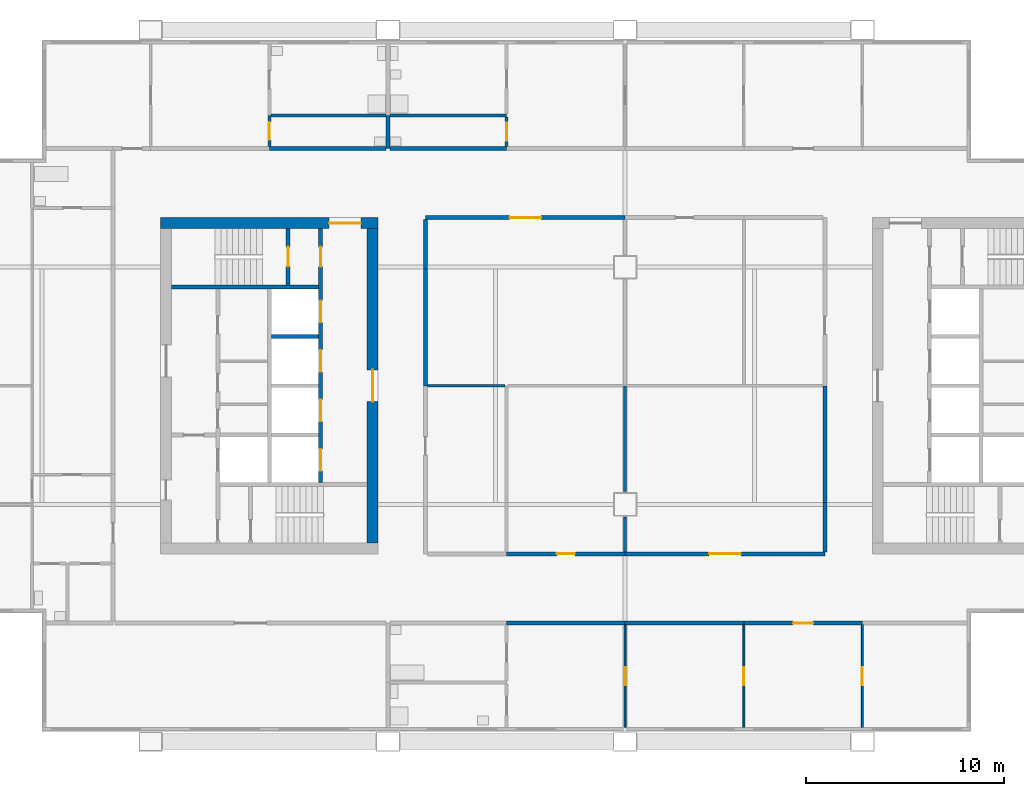
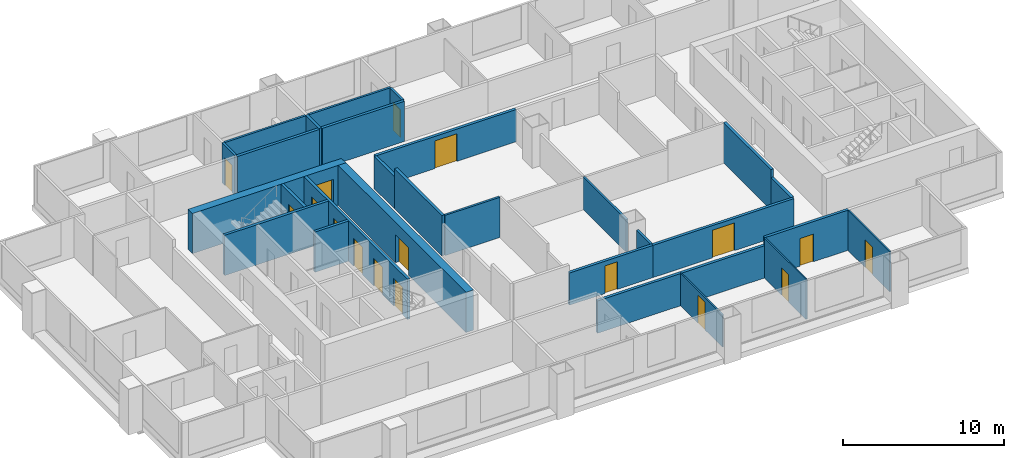
# One storey, part 4 of 9: 29 walls, 17 doors, 17 openings.
"""IFC4 building model written with IfcOpenShell, lengths in metres."""

import ifcopenshell
import ifcopenshell.guid

model = None  # the IFC model being written
_history = None  # IfcOwnerHistory: only IFC2X3 demands one
_inside = {}  # id of a spatial element -> (the spatial element, [elements in it])
_under = {}  # id of a project, library or spatial element -> (it, [spatial elements below it])
_declared = {}  # id of a project -> (the project, [libraries it declares])
_typed = {}  # id of a type object -> (the type object, [elements of that type])
_made_of = {}  # id of a material, layer set ... -> (it, [elements and type objects made of it])


def new_model(schema):
    """Start an empty IFC model of exactly this schema.

    Asked for "IFC4X3", IfcOpenShell would pick the latest addendum, in which some entities
    have other attributes; the version numbers below select the first issue.
    IFC2X3 requires an IfcOwnerHistory on every rooted entity: one is made here for all.
    """
    global model, _history
    if schema == "IFC4X3":
        model = ifcopenshell.file(schema_version=(4, 3, 0, 0))
    else:
        model = ifcopenshell.file(schema=schema)
    _inside.clear()
    _under.clear()
    _declared.clear()
    _typed.clear()
    _made_of.clear()
    _history = None
    if model.schema == "IFC2X3":
        org = make("IfcOrganization", Name="unknown")
        user = make(
            "IfcPersonAndOrganization",
            ThePerson=make("IfcPerson", FamilyName="unknown"),
            TheOrganization=org,
        )
        app = make(
            "IfcApplication",
            ApplicationDeveloper=org,
            Version="unknown",
            ApplicationFullName="unknown",
            ApplicationIdentifier="unknown",
        )
        _history = make(
            "IfcOwnerHistory",
            OwningUser=user,
            OwningApplication=app,
            ChangeAction="ADDED",
            CreationDate=0,
        )
    return model


def make(cls, **values):
    """One entity of the class cls with the attributes given. An attribute that is None is left unset."""
    return model.create_entity(
        cls, **{name: value for name, value in values.items() if value is not None}
    )


def rooted(cls, **values):
    """An entity with a GlobalId (a new one), such as an element, a storey or a relation."""
    return make(cls, GlobalId=ifcopenshell.guid.new(), OwnerHistory=_history, **values)


def si_unit(unit_type, name, prefix=None):
    """IfcSIUnit, for example si_unit("LENGTHUNIT", "METRE", prefix="MILLI")."""
    return make("IfcSIUnit", UnitType=unit_type, Prefix=prefix, Name=name)


def assignment(units):
    """IfcUnitAssignment: the units of a project."""
    return None if units is None else make("IfcUnitAssignment", Units=units)


def point(xyz):
    """IfcCartesianPoint."""
    return None if xyz is None else make("IfcCartesianPoint", Coordinates=xyz)


def direction(xyz):
    """IfcDirection."""
    return None if xyz is None else make("IfcDirection", DirectionRatios=xyz)


def frame(location, z_axis=None, x_axis=None):
    """IfcAxis2Placement3D, a coordinate frame: its origin and axes. An axis left out is left unset."""
    return make(
        "IfcAxis2Placement3D",
        Location=point(location),
        Axis=direction(z_axis),
        RefDirection=direction(x_axis),
    )


def frame_2d(location, x_axis=None):
    """IfcAxis2Placement2D, a coordinate frame in the plane: its origin and x axis."""
    return make(
        "IfcAxis2Placement2D", Location=point(location), RefDirection=direction(x_axis)
    )


def origin():
    """The frame at (0, 0, 0) with its axes left unset."""
    return frame((0.0, 0.0, 0.0))


def place(relative_to, where):
    """IfcLocalPlacement: puts the frame where relative to a parent placement (None: the world)."""
    return make(
        "IfcLocalPlacement", PlacementRelTo=relative_to, RelativePlacement=where
    )


def context(
    kind, dimensions, precision=None, world=None, true_north=None, identifier=None
):
    """IfcGeometricRepresentationContext, for example the 3D "Model" context."""
    return make(
        "IfcGeometricRepresentationContext",
        ContextIdentifier=identifier,
        ContextType=kind,
        CoordinateSpaceDimension=dimensions,
        Precision=precision,
        WorldCoordinateSystem=world,
        TrueNorth=true_north,
    )


def subcontext(parent, identifier, kind, view, scale=None):
    """IfcGeometricRepresentationSubContext, for example "Body" below "Model"."""
    return make(
        "IfcGeometricRepresentationSubContext",
        ContextIdentifier=identifier,
        ContextType=kind,
        ParentContext=parent,
        TargetScale=scale,
        TargetView=view,
    )


def project(units=None, contexts=None):
    """IfcProject with its units and contexts."""
    return rooted(
        "IfcProject",
        Name="project",
        RepresentationContexts=contexts,
        UnitsInContext=assignment(units),
    )


def spatial(cls, under=None, at=None, **own):
    """A site, building, storey or space (cls), placed at a placement, below another one or the project."""
    s = rooted(cls, ObjectPlacement=at, **own)
    if under is not None:
        _under.setdefault(under.id(), (under, []))[1].append(s)
    return s


def profile(cls, at=None, kind="AREA", **sizes):
    """A parametric profile (cls). Its sizes go by their IFC names, for example OverallWidth=200.0."""
    return make(cls, ProfileType=kind, Position=at, **sizes)


def rectangle(**sizes):
    """IfcRectangleProfileDef."""
    return profile("IfcRectangleProfileDef", **sizes)


def extrude(swept, where, along, depth):
    """IfcExtrudedAreaSolid: the profile swept, set in the frame where, extruded along a direction by depth."""
    return make(
        "IfcExtrudedAreaSolid",
        SweptArea=swept,
        Position=where,
        ExtrudedDirection=direction(along),
        Depth=depth,
    )


def shape(context_of_items, identifier, shape_type, items):
    """IfcShapeRepresentation: the items that make up one representation, for example the "Body"."""
    return make(
        "IfcShapeRepresentation",
        ContextOfItems=context_of_items,
        RepresentationIdentifier=identifier,
        RepresentationType=shape_type,
        Items=items,
    )


def material(Name=None, Category=None):
    """IfcMaterial."""
    return make("IfcMaterial", Name=Name, Category=Category)


def layer(
    of_material, thickness, ventilated=None, Name=None, Category=None, Priority=None
):
    """IfcMaterialLayer: one layer of a wall or slab, of a material (None: an air gap)."""
    return make(
        "IfcMaterialLayer",
        Material=of_material,
        LayerThickness=thickness,
        IsVentilated=ventilated,
        Name=Name,
        Category=Category,
        Priority=Priority,
    )


def layer_set(layers, Name=None):
    """IfcMaterialLayerSet."""
    return make("IfcMaterialLayerSet", MaterialLayers=layers, LayerSetName=Name)


def made_of(thing, what):
    """Note that an element or type object is made of a material, layer set ...; save() writes the relation."""
    if what is not None:
        _made_of.setdefault(what.id(), (what, []))[1].append(thing)
    return thing


def type_object(cls, material=None, **own):
    """A type object (cls), such as IfcWallType, which elements share."""
    return made_of(rooted(cls, **own), material)


def element(
    cls,
    number,
    at=None,
    inside=None,
    cuts=None,
    type_object=None,
    material=None,
    context=None,
    identifier="Body",
    shape_type=None,
    held_by="IfcProductDefinitionShape",
    body=None,
    shapes=None,
    **own,
):
    """One element of the class cls, such as IfcWall. Its Tag is "e" and its number.

    at: its placement. inside: the storey or other place that contains it. cuts: it is an
    opening in that element (IfcRelVoidsElement). A single representation is given by context,
    identifier, shape_type and body (its items); several are given by shapes. held_by: the class
    of the entity that holds the representations. save() writes the other relations.
    """
    e = rooted(cls, Tag="e%d" % number, ObjectPlacement=at, **own)
    if body is not None:
        shapes = [shape(context, identifier, shape_type, body)]
    if shapes is not None:
        e.Representation = make(held_by, Representations=shapes)
    if inside is not None:
        _inside.setdefault(inside.id(), (inside, []))[1].append(e)
    if cuts is not None:
        rooted(
            "IfcRelVoidsElement", RelatingBuildingElement=cuts, RelatedOpeningElement=e
        )
    if type_object is not None:
        _typed.setdefault(type_object.id(), (type_object, []))[1].append(e)
    return made_of(e, material)


def fill(opening, filler):
    """IfcRelFillsElement: the door or window that sits in an opening."""
    return rooted(
        "IfcRelFillsElement",
        RelatingOpeningElement=opening,
        RelatedBuildingElement=filler,
    )


def aggregate(whole, parts):
    """IfcRelAggregates: a whole, such as a stair, and the parts it consists of."""
    return rooted("IfcRelAggregates", RelatingObject=whole, RelatedObjects=parts)


def save(model, path):
    """Write the relations noted so far, then the file.

    IfcRelAggregates (storeys below a building ...), IfcRelContainedInSpatialStructure (elements
    in a storey), IfcRelDefinesByType, IfcRelAssociatesMaterial and IfcRelDeclares: one each for
    every whole, place, type object, material and project.
    """
    for whole, parts in _under.values():
        aggregate(whole, parts)
    for where, things in _inside.values():
        rooted(
            "IfcRelContainedInSpatialStructure",
            RelatedElements=things,
            RelatingStructure=where,
        )
    for kind, things in _typed.values():
        rooted("IfcRelDefinesByType", RelatedObjects=things, RelatingType=kind)
    for what, things in _made_of.values():
        rooted("IfcRelAssociatesMaterial", RelatedObjects=things, RelatingMaterial=what)
    for by, libraries in _declared.values():
        rooted("IfcRelDeclares", RelatingContext=by, RelatedDefinitions=libraries)
    model.write(path)


model = new_model("IFC4")

# Units and contexts
model_context = context("Model", 3, precision=1e-05, world=origin(), true_north=direction((0.0, 1.0)))
body_context = subcontext(model_context, "Body", "Model", "MODEL_VIEW")
ifc_project = project(units=[si_unit("LENGTHUNIT", "METRE"), si_unit("AREAUNIT", "SQUARE_METRE"), si_unit("VOLUMEUNIT", "CUBIC_METRE"), si_unit("PLANEANGLEUNIT", "RADIAN"), si_unit("MASSUNIT", "GRAM", prefix="KILO")], contexts=[model_context])

# Site, building, storey
site_placement = place(None, origin())
site = spatial("IfcSite", under=ifc_project, at=site_placement, CompositionType="ELEMENT")
building_placement = place(site_placement, origin())
building = spatial("IfcBuilding", under=site, at=building_placement, Name="Kitamizu Gate Tower and Museum", CompositionType="ELEMENT")
storey_placement = place(building_placement, frame((0.0, 0.0, 210.0)))
storey = spatial("IfcBuildingStorey", under=building, at=storey_placement, Name="L56", CompositionType="ELEMENT", Elevation=210.0)

# Wall, opening, door
ifc_material_1 = material(Name="Concrete Fc42", Category="concrete")
ifc_layer_1 = layer(ifc_material_1, 0.550048828125)
ifc_layer_set_1 = layer_set([ifc_layer_1], Name="Concrete Fc42")
wall_type_1 = type_object("IfcWallType", Name="Core wall 550", PredefinedType="SHEAR", material=ifc_layer_set_1)
wall_1_placement = place(storey_placement, frame((12.5, 38.22509765625, 0.0), z_axis=(0.0, 0.0, 1.0), x_axis=(1.0, 0.0, 0.0)))
wall_1 = element("IfcWall", 1, at=wall_1_placement, inside=storey, type_object=wall_type_1, Name="Core wall WN", PredefinedType="SHEAR", context=body_context, shape_type="SweptSolid", body=[
    extrude(rectangle(XDim=11.0, YDim=0.550048828125, at=frame_2d((5.5, 0.0))), origin(), (0.0, 0.0, 1.0), 3.050048828125),
])
opening_1_placement = place(wall_1_placement, frame((8.52490234375, 0.0, 0.0)))
opening_1 = element("IfcOpeningElement", 2, at=opening_1_placement, cuts=wall_1, Name="Opening L56-039", PredefinedType="OPENING", context=body_context, shape_type="SweptSolid", body=[
    extrude(rectangle(XDim=1.60009765625, YDim=2.10009765625, at=frame_2d((0.800048828125, 1.050048828125))), frame((0.0, 0.28515625, 0.0), z_axis=(0.0, -1.0, 0.0), x_axis=(1.0, 0.0, 0.0)), (0.0, 0.0, 1.0), 0.570068359375),
])
ifc_material_2 = material(Name="Timber door set", Category="wood")
door_type_1 = type_object("IfcDoorType", Name="Entrance door 1600", OperationType="DOUBLE_DOOR_SINGLE_SWING", PredefinedType="DOOR", material=ifc_material_2)
door_1_placement = place(opening_1_placement, origin())
door_1 = element("IfcDoor", 3, at=door_1_placement, inside=storey, type_object=door_type_1, Name="Lobby door L56-039", OperationType="DOUBLE_DOOR_SINGLE_SWING", OverallHeight=2.10009765625, OverallWidth=1.60009765625, PredefinedType="DOOR", context=body_context, shape_type="SweptSolid", body=[
    extrude(rectangle(XDim=1.60009765625, YDim=2.10009765625, at=frame_2d((0.800048828125, 1.050048828125))), frame((0.0, 0.02490234375, 0.0), z_axis=(0.0, -1.0, 0.0), x_axis=(1.0, 0.0, 0.0)), (0.0, 0.0, 1.0), 0.050048828125),
])
fill(opening_1, door_1)

wall_2_placement = place(storey_placement, frame((23.22509765625, 22.050048828125, 0.0), z_axis=(0.0, 0.0, 1.0), x_axis=(0.0, 1.0, 0.0)))
wall_2 = element("IfcWall", 4, at=wall_2_placement, inside=storey, type_object=wall_type_1, Name="Core wall WARC", PredefinedType="SHEAR", context=body_context, shape_type="SweptSolid", body=[
    extrude(rectangle(XDim=15.89990234375, YDim=0.550048828125, at=frame_2d((7.949951171875, 0.0))), origin(), (0.0, 0.0, 1.0), 3.050048828125),
])
opening_2_placement = place(wall_2_placement, frame((7.14990234375, 0.0, 0.0)))
opening_2 = element("IfcOpeningElement", 5, at=opening_2_placement, cuts=wall_2, Name="Opening L56-040", PredefinedType="OPENING", context=body_context, shape_type="SweptSolid", body=[
    extrude(rectangle(XDim=1.60009765625, YDim=2.10009765625, at=frame_2d((0.800048828125, 1.050048828125))), frame((0.0, 0.28515625, 0.0), z_axis=(0.0, -1.0, 0.0), x_axis=(1.0, 0.0, 0.0)), (0.0, 0.0, 1.0), 0.570068359375),
])
door_2_placement = place(opening_2_placement, origin())
door_2 = element("IfcDoor", 6, at=door_2_placement, inside=storey, type_object=door_type_1, Name="Lobby door L56-040", OperationType="DOUBLE_DOOR_SINGLE_SWING", OverallHeight=2.10009765625, OverallWidth=1.60009765625, PredefinedType="DOOR", context=body_context, shape_type="SweptSolid", body=[
    extrude(rectangle(XDim=1.60009765625, YDim=2.10009765625, at=frame_2d((0.800048828125, 1.050048828125))), frame((0.0, 0.02490234375, 0.0), z_axis=(0.0, -1.0, 0.0), x_axis=(1.0, 0.0, 0.0)), (0.0, 0.0, 1.0), 0.050048828125),
])
fill(opening_2, door_2)

ifc_material_3 = material(Name="Gypsum board on galvanised stud")
ifc_layer_2 = layer(ifc_material_3, 0.10009765625)
ifc_layer_set_2 = layer_set([ifc_layer_2], Name="Gypsum board on galvanised stud")
wall_type_2 = type_object("IfcWallType", Name="Partition 100 NOT RATED", PredefinedType="PARTITIONING", material=ifc_layer_set_2)
wall_3_placement = place(storey_placement, frame((36.0, 12.719970703125, 0.0), z_axis=(0.0, 0.0, 1.0), x_axis=(0.0, 1.0, 0.0)))
wall_3 = element("IfcWall", 7, at=wall_3_placement, inside=storey, type_object=wall_type_2, Name="Partition L56-007", PredefinedType="PARTITIONING", context=body_context, shape_type="SweptSolid", body=[
    extrude(rectangle(XDim=5.179931640625, YDim=0.10009765625, at=frame_2d((2.58984375, 0.0))), origin(), (0.0, 0.0, 1.0), 2.449951171875),
])
opening_3_placement = place(wall_3_placement, frame((2.139892578125, 0.0, 0.0)))
opening_3 = element("IfcOpeningElement", 8, at=opening_3_placement, cuts=wall_3, Name="Opening L56-003", PredefinedType="OPENING", context=body_context, shape_type="SweptSolid", body=[
    extrude(rectangle(XDim=0.89990234375, YDim=2.10009765625, at=frame_2d((0.449951171875, 1.050048828125))), frame((0.0, 0.06005859375, 0.0), z_axis=(0.0, -1.0, 0.0), x_axis=(1.0, 0.0, 0.0)), (0.0, 0.0, 1.0), 0.1201171875),
])
ifc_material_4 = material(Name="Timber door set", Category="wood")
door_type_2 = type_object("IfcDoorType", Name="Room door 900", OperationType="NOTDEFINED", PredefinedType="DOOR", material=ifc_material_4)
door_3_placement = place(opening_3_placement, origin())
door_3 = element("IfcDoor", 9, at=door_3_placement, inside=storey, type_object=door_type_2, Name="Door L56-003", OperationType="SINGLE_SWING_RIGHT", OverallHeight=2.10009765625, OverallWidth=0.89990234375, PredefinedType="DOOR", context=body_context, shape_type="SweptSolid", body=[
    extrude(rectangle(XDim=0.89990234375, YDim=2.10009765625, at=frame_2d((0.449951171875, 1.050048828125))), frame((0.0, 0.02490234375, 0.0), z_axis=(0.0, -1.0, 0.0), x_axis=(1.0, 0.0, 0.0)), (0.0, 0.0, 1.0), 0.050048828125),
])
fill(opening_3, door_3)

wall_4_placement = place(storey_placement, frame((42.0, 12.719970703125, 0.0), z_axis=(0.0, 0.0, 1.0), x_axis=(0.0, 1.0, 0.0)))
wall_4 = element("IfcWall", 10, at=wall_4_placement, inside=storey, type_object=wall_type_2, Name="Partition L56-009", PredefinedType="PARTITIONING", context=body_context, shape_type="SweptSolid", body=[
    extrude(rectangle(XDim=5.179931640625, YDim=0.10009765625, at=frame_2d((2.58984375, 0.0))), origin(), (0.0, 0.0, 1.0), 3.050048828125),
])
opening_4_placement = place(wall_4_placement, frame((2.139892578125, 0.0, 0.0)))
opening_4 = element("IfcOpeningElement", 11, at=opening_4_placement, cuts=wall_4, Name="Opening L56-002", PredefinedType="OPENING", context=body_context, shape_type="SweptSolid", body=[
    extrude(rectangle(XDim=0.89990234375, YDim=2.10009765625, at=frame_2d((0.449951171875, 1.050048828125))), frame((0.0, 0.06005859375, 0.0), z_axis=(0.0, -1.0, 0.0), x_axis=(1.0, 0.0, 0.0)), (0.0, 0.0, 1.0), 0.1201171875),
])
door_4_placement = place(opening_4_placement, origin())
door_4 = element("IfcDoor", 12, at=door_4_placement, inside=storey, type_object=door_type_2, Name="Door L56-002", OperationType="SINGLE_SWING_LEFT", OverallHeight=2.10009765625, OverallWidth=0.89990234375, PredefinedType="DOOR", context=body_context, shape_type="SweptSolid", body=[
    extrude(rectangle(XDim=0.89990234375, YDim=2.10009765625, at=frame_2d((0.449951171875, 1.050048828125))), frame((0.0, 0.02490234375, 0.0), z_axis=(0.0, -1.0, 0.0), x_axis=(1.0, 0.0, 0.0)), (0.0, 0.0, 1.0), 0.050048828125),
])
fill(opening_4, door_4)

wall_5_placement = place(storey_placement, frame((48.0, 12.719970703125, 0.0), z_axis=(0.0, 0.0, 1.0), x_axis=(0.0, 1.0, 0.0)))
wall_5 = element("IfcWall", 13, at=wall_5_placement, inside=storey, type_object=wall_type_2, Name="Partition L56-011", PredefinedType="PARTITIONING", context=body_context, shape_type="SweptSolid", body=[
    extrude(rectangle(XDim=5.179931640625, YDim=0.10009765625, at=frame_2d((2.58984375, 0.0))), origin(), (0.0, 0.0, 1.0), 3.050048828125),
])
opening_5_placement = place(wall_5_placement, frame((2.139892578125, 0.0, 0.0)))
opening_5 = element("IfcOpeningElement", 14, at=opening_5_placement, cuts=wall_5, Name="Opening L56-006", PredefinedType="OPENING", context=body_context, shape_type="SweptSolid", body=[
    extrude(rectangle(XDim=0.89990234375, YDim=2.10009765625, at=frame_2d((0.449951171875, 1.050048828125))), frame((0.0, 0.06005859375, 0.0), z_axis=(0.0, -1.0, 0.0), x_axis=(1.0, 0.0, 0.0)), (0.0, 0.0, 1.0), 0.1201171875),
])
door_5_placement = place(opening_5_placement, frame((0.89990234375, 0.0, 0.0), x_axis=(-1.0, 0.0, 0.0)))
door_5 = element("IfcDoor", 15, at=door_5_placement, inside=storey, type_object=door_type_2, Name="Door L56-006", OperationType="SINGLE_SWING_RIGHT", OverallHeight=2.10009765625, OverallWidth=0.89990234375, PredefinedType="DOOR", context=body_context, shape_type="SweptSolid", body=[
    extrude(rectangle(XDim=0.89990234375, YDim=2.10009765625, at=frame_2d((0.449951171875, 1.050048828125))), frame((0.0, 0.02490234375, 0.0), z_axis=(0.0, -1.0, 0.0), x_axis=(1.0, 0.0, 0.0)), (0.0, 0.0, 1.0), 0.050048828125),
])
fill(opening_5, door_5)

ifc_material_5 = material(Name="Gypsum board on galvanised stud")
ifc_layer_3 = layer(ifc_material_5, 0.14990234375)
ifc_layer_set_3 = layer_set([ifc_layer_3], Name="Gypsum board on galvanised stud")
wall_type_3 = type_object("IfcWallType", Name="Partition 150", PredefinedType="PARTITIONING", material=ifc_layer_set_3)
wall_6_placement = place(storey_placement, frame((18.0, 42.10009765625, 0.0), z_axis=(0.0, 0.0, 1.0), x_axis=(0.0, 1.0, 0.0)))
wall_6 = element("IfcWall", 16, at=wall_6_placement, inside=storey, type_object=wall_type_3, Name="Partition L56-018", PredefinedType="PARTITIONING", context=body_context, shape_type="SweptSolid", body=[
    extrude(rectangle(XDim=1.579833984375, YDim=0.14990234375, at=frame_2d((0.7900390625, 0.0))), origin(), (0.0, 0.0, 1.0), 3.050048828125),
])
opening_6_placement = place(wall_6_placement, frame((0.340087890625, 0.0, 0.0)))
opening_6 = element("IfcOpeningElement", 17, at=opening_6_placement, cuts=wall_6, Name="Opening L56-010", PredefinedType="OPENING", context=body_context, shape_type="SweptSolid", body=[
    extrude(rectangle(XDim=0.89990234375, YDim=2.10009765625, at=frame_2d((0.449951171875, 1.050048828125))), frame((0.0, 0.0849609375, 0.0), z_axis=(0.0, -1.0, 0.0), x_axis=(1.0, 0.0, 0.0)), (0.0, 0.0, 1.0), 0.169921875),
])
ifc_material_6 = material(Name="Timber door set", Category="wood")
door_type_3 = type_object("IfcDoorType", Name="Bathroom door 900", OperationType="NOTDEFINED", PredefinedType="DOOR", material=ifc_material_6)
door_6_placement = place(opening_6_placement, frame((0.89990234375, 0.0, 0.0), x_axis=(-1.0, 0.0, 0.0)))
door_6 = element("IfcDoor", 18, at=door_6_placement, inside=storey, type_object=door_type_3, Name="Bathroom door L56-010", OperationType="SINGLE_SWING_LEFT", OverallHeight=2.10009765625, OverallWidth=0.89990234375, PredefinedType="DOOR", context=body_context, shape_type="SweptSolid", body=[
    extrude(rectangle(XDim=0.89990234375, YDim=2.10009765625, at=frame_2d((0.449951171875, 1.050048828125))), frame((0.0, 0.02490234375, 0.0), z_axis=(0.0, -1.0, 0.0), x_axis=(1.0, 0.0, 0.0)), (0.0, 0.0, 1.0), 0.050048828125),
])
fill(opening_6, door_6)

# Walls
wall_7_placement = place(storey_placement, frame((18.074951171875, 43.679931640625, 0.0), z_axis=(0.0, 0.0, 1.0), x_axis=(1.0, 0.0, 0.0)))
element("IfcWall", 19, at=wall_7_placement, inside=storey, type_object=wall_type_3, Name="Partition L56-020", PredefinedType="PARTITIONING", context=body_context, shape_type="SweptSolid", body=[
    extrude(rectangle(XDim=5.824951171875, YDim=0.14990234375, at=frame_2d((2.91259765625, 0.0))), origin(), (0.0, 0.0, 1.0), 3.050048828125),
])
wall_8_placement = place(storey_placement, frame((24.10009765625, 43.679931640625, 0.0), z_axis=(0.0, 0.0, 1.0), x_axis=(1.0, 0.0, 0.0)))
element("IfcWall", 20, at=wall_8_placement, inside=storey, type_object=wall_type_3, Name="Partition L56-024", PredefinedType="PARTITIONING", context=body_context, shape_type="SweptSolid", body=[
    extrude(rectangle(XDim=5.89990234375, YDim=0.14990234375, at=frame_2d((2.949951171875, 0.0))), origin(), (0.0, 0.0, 1.0), 3.050048828125),
])

# Wall, opening, door
wall_9_placement = place(storey_placement, frame((30.0, 42.10009765625, 0.0), z_axis=(0.0, 0.0, 1.0), x_axis=(0.0, 1.0, 0.0)))
wall_9 = element("IfcWall", 21, at=wall_9_placement, inside=storey, type_object=wall_type_3, Name="Partition L56-026", PredefinedType="PARTITIONING", context=body_context, shape_type="SweptSolid", body=[
    extrude(rectangle(XDim=1.5048828125, YDim=0.14990234375, at=frame_2d((0.75244140625, 0.0))), origin(), (0.0, 0.0, 1.0), 3.050048828125),
])
opening_7_placement = place(wall_9_placement, frame((0.302490234375, 0.0, 0.0)))
opening_7 = element("IfcOpeningElement", 22, at=opening_7_placement, cuts=wall_9, Name="Opening L56-015", PredefinedType="OPENING", context=body_context, shape_type="SweptSolid", body=[
    extrude(rectangle(XDim=0.89990234375, YDim=2.10009765625, at=frame_2d((0.449951171875, 1.050048828125))), frame((0.0, 0.0849609375, 0.0), z_axis=(0.0, -1.0, 0.0), x_axis=(1.0, 0.0, 0.0)), (0.0, 0.0, 1.0), 0.169921875),
])
door_7_placement = place(opening_7_placement, origin())
door_7 = element("IfcDoor", 23, at=door_7_placement, inside=storey, type_object=door_type_3, Name="Bathroom door L56-015", OperationType="SINGLE_SWING_LEFT", OverallHeight=2.10009765625, OverallWidth=0.89990234375, PredefinedType="DOOR", context=body_context, shape_type="SweptSolid", body=[
    extrude(rectangle(XDim=0.89990234375, YDim=2.10009765625, at=frame_2d((0.449951171875, 1.050048828125))), frame((0.0, 0.02490234375, 0.0), z_axis=(0.0, -1.0, 0.0), x_axis=(1.0, 0.0, 0.0)), (0.0, 0.0, 1.0), 0.050048828125),
])
fill(opening_7, door_7)

# Walls
wall_10_placement = place(storey_placement, frame((29.925048828125, 30.0, 0.0), z_axis=(0.0, 0.0, 1.0), x_axis=(-1.0, 0.0, 0.0)))
element("IfcWall", 24, at=wall_10_placement, inside=storey, type_object=wall_type_3, Name="Partition L56-074", PredefinedType="PARTITIONING", context=body_context, shape_type="SweptSolid", body=[
    extrude(rectangle(XDim=3.925048828125, YDim=0.14990234375, at=frame_2d((1.96240234375, 0.0))), origin(), (0.0, 0.0, 1.0), 3.050048828125),
])
wall_11_placement = place(storey_placement, frame((36.0, 21.60009765625, 0.0), z_axis=(0.0, 0.0, 1.0), x_axis=(0.0, 1.0, 0.0)))
element("IfcWall", 25, at=wall_11_placement, inside=storey, type_object=wall_type_3, Name="Partition L56-075", PredefinedType="PARTITIONING", context=body_context, shape_type="SweptSolid", body=[
    extrude(rectangle(XDim=1.75, YDim=0.14990234375, at=frame_2d((0.875, 0.0))), origin(), (0.0, 0.0, 1.0), 2.449951171875),
])
wall_12_placement = place(storey_placement, frame((36.0, 24.64990234375, 0.0), z_axis=(0.0, 0.0, 1.0), x_axis=(0.0, 1.0, 0.0)))
element("IfcWall", 26, at=wall_12_placement, inside=storey, type_object=wall_type_3, Name="Partition L56-076", PredefinedType="PARTITIONING", context=body_context, shape_type="SweptSolid", body=[
    extrude(rectangle(XDim=5.35009765625, YDim=0.14990234375, at=frame_2d((2.675048828125, 0.0))), origin(), (0.0, 0.0, 1.0), 2.449951171875),
])
ifc_material_7 = material(Name="Gypsum board on galvanised stud")
ifc_layer_4 = layer(ifc_material_7, 0.199951171875)
ifc_layer_set_4 = layer_set([ifc_layer_4], Name="Gypsum board on galvanised stud")
wall_type_4 = type_object("IfcWallType", Name="Partition 200", PredefinedType="PARTITIONING", material=ifc_layer_set_4)
for number, where, z_axis, x_axis, name in (
    (27, (36.0, 18.0, 0.0), (0.0, 0.0, 1.0), (-1.0, 0.0, 0.0), "Partition L56-008"),
    (28, (42.0, 18.0, 0.0), (0.0, 0.0, 1.0), (-1.0, 0.0, 0.0), "Partition L56-010"),
):
    element("IfcWall", number, at=place(storey_placement, frame(where, z_axis=z_axis, x_axis=x_axis)), inside=storey, type_object=wall_type_4, Name=name, PredefinedType="PARTITIONING", context=body_context, shape_type="SweptSolid", body=[
        extrude(rectangle(XDim=6.0, YDim=0.199951171875, at=frame_2d((3.0, 0.0))), origin(), (0.0, 0.0, 1.0), 2.449951171875),
    ])

# Wall, opening, door
wall_13_placement = place(storey_placement, frame((48.0, 18.0, 0.0), z_axis=(0.0, 0.0, 1.0), x_axis=(-1.0, 0.0, 0.0)))
wall_13 = element("IfcWall", 29, at=wall_13_placement, inside=storey, type_object=wall_type_4, Name="Partition L56-012", PredefinedType="PARTITIONING", context=body_context, shape_type="SweptSolid", body=[
    extrude(rectangle(XDim=6.0, YDim=0.199951171875, at=frame_2d((3.0, 0.0))), origin(), (0.0, 0.0, 1.0), 3.050048828125),
])
opening_8_placement = place(wall_13_placement, frame((2.5, 0.0, 0.0)))
opening_8 = element("IfcOpeningElement", 30, at=opening_8_placement, cuts=wall_13, Name="Opening L56-001", PredefinedType="OPENING", context=body_context, shape_type="SweptSolid", body=[
    extrude(rectangle(XDim=1.0, YDim=2.10009765625, at=frame_2d((0.5, 1.050048828125))), frame((0.0, 0.10986328125, 0.0), z_axis=(0.0, -1.0, 0.0), x_axis=(1.0, 0.0, 0.0)), (0.0, 0.0, 1.0), 0.219970703125),
])
ifc_material_8 = material(Name="Timber door set", Category="wood")
door_type_4 = type_object("IfcDoorType", Name="Flat entrance door 1000", OperationType="NOTDEFINED", PredefinedType="DOOR", material=ifc_material_8)
door_8_placement = place(opening_8_placement, origin())
door_8 = element("IfcDoor", 31, at=door_8_placement, inside=storey, type_object=door_type_4, Name="Flat entrance door L56-001", OperationType="SINGLE_SWING_RIGHT", OverallHeight=2.10009765625, OverallWidth=1.0, PredefinedType="DOOR", context=body_context, shape_type="SweptSolid", body=[
    extrude(rectangle(XDim=1.0, YDim=2.10009765625, at=frame_2d((0.5, 1.050048828125))), frame((0.0, 0.02490234375, 0.0), z_axis=(0.0, -1.0, 0.0), x_axis=(1.0, 0.0, 0.0)), (0.0, 0.0, 1.0), 0.050048828125),
])
fill(opening_8, door_8)

# Walls
wall_14_placement = place(storey_placement, frame((24.0, 42.0, 0.0), z_axis=(0.0, 0.0, 1.0), x_axis=(0.0, 1.0, 0.0)))
element("IfcWall", 32, at=wall_14_placement, inside=storey, type_object=wall_type_4, Name="Partition L56-022", PredefinedType="PARTITIONING", context=body_context, shape_type="SweptSolid", body=[
    extrude(rectangle(XDim=1.679931640625, YDim=0.199951171875, at=frame_2d((0.83984375, 0.0))), origin(), (0.0, 0.0, 1.0), 3.050048828125),
])
for number, where, z_axis, x_axis, name in (
    (33, (18.0, 42.0, 0.0), (0.0, 0.0, 1.0), (1.0, 0.0, 0.0), "Partition L56-023"),
    (34, (24.10009765625, 42.0, 0.0), (0.0, 0.0, 1.0), (1.0, 0.0, 0.0), "Partition L56-027"),
):
    element("IfcWall", number, at=place(storey_placement, frame(where, z_axis=z_axis, x_axis=x_axis)), inside=storey, type_object=wall_type_4, Name=name, PredefinedType="PARTITIONING", context=body_context, shape_type="SweptSolid", body=[
        extrude(rectangle(XDim=5.89990234375, YDim=0.199951171875, at=frame_2d((2.949951171875, 0.0))), origin(), (0.0, 0.0, 1.0), 3.050048828125),
    ])

# Wall, opening, door
wall_15_placement = place(storey_placement, frame((30.0, 21.5, 0.0), z_axis=(0.0, 0.0, 1.0), x_axis=(1.0, 0.0, 0.0)))
wall_15 = element("IfcWall", 35, at=wall_15_placement, inside=storey, type_object=wall_type_4, Name="Partition L56-061", PredefinedType="PARTITIONING", context=body_context, shape_type="SweptSolid", body=[
    extrude(rectangle(XDim=6.0, YDim=0.199951171875, at=frame_2d((3.0, 0.0))), origin(), (0.0, 0.0, 1.0), 2.449951171875),
])
opening_9_placement = place(wall_15_placement, frame((2.550048828125, 0.0, 0.0)))
opening_9 = element("IfcOpeningElement", 36, at=opening_9_placement, cuts=wall_15, Name="Opening L56-027", PredefinedType="OPENING", context=body_context, shape_type="SweptSolid", body=[
    extrude(rectangle(XDim=0.89990234375, YDim=2.10009765625, at=frame_2d((0.449951171875, 1.050048828125))), frame((0.0, 0.10986328125, 0.0), z_axis=(0.0, -1.0, 0.0), x_axis=(1.0, 0.0, 0.0)), (0.0, 0.0, 1.0), 0.219970703125),
])
door_9_placement = place(opening_9_placement, origin())
door_9 = element("IfcDoor", 37, at=door_9_placement, inside=storey, type_object=door_type_2, Name="Door L56-027", OperationType="SINGLE_SWING_RIGHT", OverallHeight=2.10009765625, OverallWidth=0.89990234375, PredefinedType="DOOR", context=body_context, shape_type="SweptSolid", body=[
    extrude(rectangle(XDim=0.89990234375, YDim=2.10009765625, at=frame_2d((0.449951171875, 1.050048828125))), frame((0.0, 0.02490234375, 0.0), z_axis=(0.0, -1.0, 0.0), x_axis=(1.0, 0.0, 0.0)), (0.0, 0.0, 1.0), 0.050048828125),
])
fill(opening_9, door_9)

wall_16_placement = place(storey_placement, frame((36.0, 21.5, 0.0), z_axis=(0.0, 0.0, 1.0), x_axis=(1.0, 0.0, 0.0)))
wall_16 = element("IfcWall", 38, at=wall_16_placement, inside=storey, type_object=wall_type_4, Name="Partition L56-062", PredefinedType="PARTITIONING", context=body_context, shape_type="SweptSolid", body=[
    extrude(rectangle(XDim=10.10009765625, YDim=0.199951171875, at=frame_2d((5.050048828125, 0.0))), origin(), (0.0, 0.0, 1.0), 2.449951171875),
])
opening_10_placement = place(wall_16_placement, frame((4.25, 0.0, 0.0)))
opening_10 = element("IfcOpeningElement", 39, at=opening_10_placement, cuts=wall_16, Name="Opening L56-028", PredefinedType="OPENING", context=body_context, shape_type="SweptSolid", body=[
    extrude(rectangle(XDim=1.60009765625, YDim=2.10009765625, at=frame_2d((0.800048828125, 1.050048828125))), frame((0.0, 0.10986328125, 0.0), z_axis=(0.0, -1.0, 0.0), x_axis=(1.0, 0.0, 0.0)), (0.0, 0.0, 1.0), 0.219970703125),
])
ifc_material_9 = material(Name="Timber door set", Category="wood")
door_type_5 = type_object("IfcDoorType", Name="Double door 1600", OperationType="DOUBLE_DOOR_SINGLE_SWING", PredefinedType="DOOR", material=ifc_material_9)
door_10_placement = place(opening_10_placement, origin())
door_10 = element("IfcDoor", 40, at=door_10_placement, inside=storey, type_object=door_type_5, Name="Double door L56-028", OperationType="DOUBLE_DOOR_SINGLE_SWING", OverallHeight=2.10009765625, OverallWidth=1.60009765625, PredefinedType="DOOR", context=body_context, shape_type="SweptSolid", body=[
    extrude(rectangle(XDim=1.60009765625, YDim=2.10009765625, at=frame_2d((0.800048828125, 1.050048828125))), frame((0.0, 0.02490234375, 0.0), z_axis=(0.0, -1.0, 0.0), x_axis=(1.0, 0.0, 0.0)), (0.0, 0.0, 1.0), 0.050048828125),
])
fill(opening_10, door_10)

# Walls
wall_17_placement = place(storey_placement, frame((46.10009765625, 21.60009765625, 0.0), z_axis=(0.0, 0.0, 1.0), x_axis=(0.0, 1.0, 0.0)))
element("IfcWall", 41, at=wall_17_placement, inside=storey, type_object=wall_type_4, Name="Partition L56-063", PredefinedType="PARTITIONING", context=body_context, shape_type="SweptSolid", body=[
    extrude(rectangle(XDim=2.5, YDim=0.199951171875, at=frame_2d((1.25, 0.0))), origin(), (0.0, 0.0, 1.0), 2.449951171875),
])
wall_18_placement = place(storey_placement, frame((46.10009765625, 24.10009765625, 0.0), z_axis=(0.0, 0.0, 1.0), x_axis=(0.0, 1.0, 0.0)))
element("IfcWall", 42, at=wall_18_placement, inside=storey, type_object=wall_type_4, Name="Partition L56-064", PredefinedType="PARTITIONING", context=body_context, shape_type="SweptSolid", body=[
    extrude(rectangle(XDim=5.89990234375, YDim=0.199951171875, at=frame_2d((2.949951171875, 0.0))), origin(), (0.0, 0.0, 1.0), 3.050048828125),
])

# Wall, opening, door
wall_19_placement = place(storey_placement, frame((36.0, 38.5, 0.0), z_axis=(0.0, 0.0, 1.0), x_axis=(-1.0, 0.0, 0.0)))
wall_19 = element("IfcWall", 43, at=wall_19_placement, inside=storey, type_object=wall_type_4, Name="Partition L56-065", PredefinedType="PARTITIONING", context=body_context, shape_type="SweptSolid", body=[
    extrude(rectangle(XDim=10.10009765625, YDim=0.199951171875, at=frame_2d((5.050048828125, 0.0))), origin(), (0.0, 0.0, 1.0), 2.449951171875),
])
opening_11_placement = place(wall_19_placement, frame((4.25, 0.0, 0.0)))
opening_11 = element("IfcOpeningElement", 44, at=opening_11_placement, cuts=wall_19, Name="Opening L56-029", PredefinedType="OPENING", context=body_context, shape_type="SweptSolid", body=[
    extrude(rectangle(XDim=1.60009765625, YDim=2.10009765625, at=frame_2d((0.800048828125, 1.050048828125))), frame((0.0, 0.10986328125, 0.0), z_axis=(0.0, -1.0, 0.0), x_axis=(1.0, 0.0, 0.0)), (0.0, 0.0, 1.0), 0.219970703125),
])
door_11_placement = place(opening_11_placement, origin())
door_11 = element("IfcDoor", 45, at=door_11_placement, inside=storey, type_object=door_type_5, Name="Double door L56-029", OperationType="DOUBLE_DOOR_SINGLE_SWING", OverallHeight=2.10009765625, OverallWidth=1.60009765625, PredefinedType="DOOR", context=body_context, shape_type="SweptSolid", body=[
    extrude(rectangle(XDim=1.60009765625, YDim=2.10009765625, at=frame_2d((0.800048828125, 1.050048828125))), frame((0.0, 0.02490234375, 0.0), z_axis=(0.0, -1.0, 0.0), x_axis=(1.0, 0.0, 0.0)), (0.0, 0.0, 1.0), 0.050048828125),
])
fill(opening_11, door_11)

# Walls
wall_20_placement = place(storey_placement, frame((25.89990234375, 38.39990234375, 0.0), z_axis=(0.0, 0.0, 1.0), x_axis=(0.0, -1.0, 0.0)))
element("IfcWall", 46, at=wall_20_placement, inside=storey, type_object=wall_type_4, Name="Partition L56-066", PredefinedType="PARTITIONING", context=body_context, shape_type="SweptSolid", body=[
    extrude(rectangle(XDim=2.5, YDim=0.199951171875, at=frame_2d((1.25, 0.0))), origin(), (0.0, 0.0, 1.0), 2.449951171875),
])
wall_21_placement = place(storey_placement, frame((25.89990234375, 35.89990234375, 0.0), z_axis=(0.0, 0.0, 1.0), x_axis=(0.0, -1.0, 0.0)))
element("IfcWall", 47, at=wall_21_placement, inside=storey, type_object=wall_type_4, Name="Partition L56-067", PredefinedType="PARTITIONING", context=body_context, shape_type="SweptSolid", body=[
    extrude(rectangle(XDim=5.89990234375, YDim=0.199951171875, at=frame_2d((2.949951171875, 0.0))), origin(), (0.0, 0.0, 1.0), 3.050048828125),
])

# Wall, openings, doors
ifc_material_10 = material(Name="Concrete Fc42", Category="concrete")
ifc_layer_5 = layer(ifc_material_10, 0.199951171875)
ifc_layer_set_5 = layer_set([ifc_layer_5], Name="Concrete Fc42")
wall_type_5 = type_object("IfcWallType", Name="Shaft wall 200", PredefinedType="SOLIDWALL", material=ifc_layer_set_5)
wall_22_placement = place(storey_placement, frame((20.60009765625, 25.10009765625, 0.0), z_axis=(0.0, 0.0, 1.0), x_axis=(0.0, 1.0, 0.0)))
wall_22 = element("IfcWall", 48, at=wall_22_placement, inside=storey, type_object=wall_type_5, Name="Shaft wall WEAST", PredefinedType="SOLIDWALL", context=body_context, shape_type="SweptSolid", body=[
    extrude(rectangle(XDim=12.849853515625, YDim=0.199951171875, at=frame_2d((6.4248046875, 0.0))), origin(), (0.0, 0.0, 1.0), 3.050048828125),
])
opening_12_placement = place(wall_22_placement, frame((0.60009765625, 0.0, 0.0)))
opening_12 = element("IfcOpeningElement", 49, at=opening_12_placement, cuts=wall_22, Name="Opening LD", PredefinedType="OPENING", context=body_context, shape_type="SweptSolid", body=[
    extrude(rectangle(XDim=1.10009765625, YDim=2.10009765625, at=frame_2d((0.550048828125, 1.050048828125))), frame((0.0, 0.10986328125, 0.0), z_axis=(0.0, -1.0, 0.0), x_axis=(1.0, 0.0, 0.0)), (0.0, 0.0, 1.0), 0.219970703125),
])
opening_13_placement = place(wall_22_placement, frame((3.10009765625, 0.0, 0.0)))
opening_13 = element("IfcOpeningElement", 50, at=opening_13_placement, cuts=wall_22, Name="Opening LD", PredefinedType="OPENING", context=body_context, shape_type="SweptSolid", body=[
    extrude(rectangle(XDim=1.10009765625, YDim=2.10009765625, at=frame_2d((0.550048828125, 1.050048828125))), frame((0.0, 0.10986328125, 0.0), z_axis=(0.0, -1.0, 0.0), x_axis=(1.0, 0.0, 0.0)), (0.0, 0.0, 1.0), 0.219970703125),
])
opening_14_placement = place(wall_22_placement, frame((5.60009765625, 0.0, 0.0)))
opening_14 = element("IfcOpeningElement", 51, at=opening_14_placement, cuts=wall_22, Name="Opening LD", PredefinedType="OPENING", context=body_context, shape_type="SweptSolid", body=[
    extrude(rectangle(XDim=1.10009765625, YDim=2.10009765625, at=frame_2d((0.550048828125, 1.050048828125))), frame((0.0, 0.10986328125, 0.0), z_axis=(0.0, -1.0, 0.0), x_axis=(1.0, 0.0, 0.0)), (0.0, 0.0, 1.0), 0.219970703125),
])
opening_15_placement = place(wall_22_placement, frame((8.10009765625, 0.0, 0.0)))
opening_15 = element("IfcOpeningElement", 52, at=opening_15_placement, cuts=wall_22, Name="Opening LD", PredefinedType="OPENING", context=body_context, shape_type="SweptSolid", body=[
    extrude(rectangle(XDim=1.10009765625, YDim=2.10009765625, at=frame_2d((0.550048828125, 1.050048828125))), frame((0.0, 0.10986328125, 0.0), z_axis=(0.0, -1.0, 0.0), x_axis=(1.0, 0.0, 0.0)), (0.0, 0.0, 1.0), 0.219970703125),
])
opening_16_placement = place(wall_22_placement, frame((10.925048828125, 0.0, 0.0)))
opening_16 = element("IfcOpeningElement", 53, at=opening_16_placement, cuts=wall_22, Name="Opening L56-034", PredefinedType="OPENING", context=body_context, shape_type="SweptSolid", body=[
    extrude(rectangle(XDim=1.0, YDim=2.10009765625, at=frame_2d((0.5, 1.050048828125))), frame((0.0, 0.10986328125, 0.0), z_axis=(0.0, -1.0, 0.0), x_axis=(1.0, 0.0, 0.0)), (0.0, 0.0, 1.0), 0.219970703125),
])
ifc_material_11 = material(Name="Hollow metal door set")
door_type_6 = type_object("IfcDoorType", Name="Fire door 1000", OperationType="NOTDEFINED", PredefinedType="DOOR", material=ifc_material_11)
door_12_placement = place(opening_16_placement, origin())
door_12 = element("IfcDoor", 54, at=door_12_placement, inside=storey, type_object=door_type_6, Name="Stair lobby door L56-034", OperationType="SINGLE_SWING_LEFT", OverallHeight=2.10009765625, OverallWidth=1.0, PredefinedType="DOOR", context=body_context, shape_type="SweptSolid", body=[
    extrude(rectangle(XDim=1.0, YDim=2.10009765625, at=frame_2d((0.5, 1.050048828125))), frame((0.0, 0.02490234375, 0.0), z_axis=(0.0, -1.0, 0.0), x_axis=(1.0, 0.0, 0.0)), (0.0, 0.0, 1.0), 0.050048828125),
])
fill(opening_16, door_12)
ifc_material_12 = material(Name="Hollow metal door set")
door_type_7 = type_object("IfcDoorType", Name="Landing door 1100", OperationType="SLIDING_TO_LEFT", PredefinedType="DOOR", material=ifc_material_12)
door_13_placement = place(opening_12_placement, origin())
door_13 = element("IfcDoor", 55, at=door_13_placement, inside=storey, type_object=door_type_7, Name="Landing door WSV1", OperationType="SLIDING_TO_LEFT", OverallHeight=2.10009765625, OverallWidth=1.10009765625, PredefinedType="DOOR", context=body_context, shape_type="SweptSolid", body=[
    extrude(rectangle(XDim=1.10009765625, YDim=2.10009765625, at=frame_2d((0.550048828125, 1.050048828125))), frame((0.0, 0.02490234375, 0.0), z_axis=(0.0, -1.0, 0.0), x_axis=(1.0, 0.0, 0.0)), (0.0, 0.0, 1.0), 0.050048828125),
])
fill(opening_12, door_13)
door_14_placement = place(opening_13_placement, origin())
door_14 = element("IfcDoor", 56, at=door_14_placement, inside=storey, type_object=door_type_7, Name="Landing door WH1", OperationType="SLIDING_TO_LEFT", OverallHeight=2.10009765625, OverallWidth=1.10009765625, PredefinedType="DOOR", context=body_context, shape_type="SweptSolid", body=[
    extrude(rectangle(XDim=1.10009765625, YDim=2.10009765625, at=frame_2d((0.550048828125, 1.050048828125))), frame((0.0, 0.02490234375, 0.0), z_axis=(0.0, -1.0, 0.0), x_axis=(1.0, 0.0, 0.0)), (0.0, 0.0, 1.0), 0.050048828125),
])
fill(opening_13, door_14)
door_15_placement = place(opening_14_placement, origin())
door_15 = element("IfcDoor", 57, at=door_15_placement, inside=storey, type_object=door_type_7, Name="Landing door WH2", OperationType="SLIDING_TO_LEFT", OverallHeight=2.10009765625, OverallWidth=1.10009765625, PredefinedType="DOOR", context=body_context, shape_type="SweptSolid", body=[
    extrude(rectangle(XDim=1.10009765625, YDim=2.10009765625, at=frame_2d((0.550048828125, 1.050048828125))), frame((0.0, 0.02490234375, 0.0), z_axis=(0.0, -1.0, 0.0), x_axis=(1.0, 0.0, 0.0)), (0.0, 0.0, 1.0), 0.050048828125),
])
fill(opening_14, door_15)
door_16_placement = place(opening_15_placement, origin())
door_16 = element("IfcDoor", 58, at=door_16_placement, inside=storey, type_object=door_type_7, Name="Landing door WH3", OperationType="SLIDING_TO_LEFT", OverallHeight=2.10009765625, OverallWidth=1.10009765625, PredefinedType="DOOR", context=body_context, shape_type="SweptSolid", body=[
    extrude(rectangle(XDim=1.10009765625, YDim=2.10009765625, at=frame_2d((0.550048828125, 1.050048828125))), frame((0.0, 0.02490234375, 0.0), z_axis=(0.0, -1.0, 0.0), x_axis=(1.0, 0.0, 0.0)), (0.0, 0.0, 1.0), 0.050048828125),
])
fill(opening_15, door_16)

# Wall
wall_23_placement = place(storey_placement, frame((13.050048828125, 35.0, 0.0), z_axis=(0.0, 0.0, 1.0), x_axis=(1.0, 0.0, 0.0)))
element("IfcWall", 59, at=wall_23_placement, inside=storey, type_object=wall_type_5, Name="Shaft wall WNB", PredefinedType="SOLIDWALL", context=body_context, shape_type="SweptSolid", body=[
    extrude(rectangle(XDim=7.449951171875, YDim=0.199951171875, at=frame_2d((3.72509765625, 0.0))), origin(), (0.0, 0.0, 1.0), 3.050048828125),
])

# Wall, opening, door
wall_24_placement = place(storey_placement, frame((18.949951171875, 35.10009765625, 0.0), z_axis=(0.0, 0.0, 1.0), x_axis=(0.0, 1.0, 0.0)))
wall_24 = element("IfcWall", 60, at=wall_24_placement, inside=storey, type_object=wall_type_5, Name="Shaft wall WNZ", PredefinedType="SOLIDWALL", context=body_context, shape_type="SweptSolid", body=[
    extrude(rectangle(XDim=2.849853515625, YDim=0.199951171875, at=frame_2d((1.4248046875, 0.0))), origin(), (0.0, 0.0, 1.0), 3.050048828125),
])
opening_17_placement = place(wall_24_placement, frame((0.925048828125, 0.0, 0.0)))
opening_17 = element("IfcOpeningElement", 61, at=opening_17_placement, cuts=wall_24, Name="Opening L56-035", PredefinedType="OPENING", context=body_context, shape_type="SweptSolid", body=[
    extrude(rectangle(XDim=1.0, YDim=2.10009765625, at=frame_2d((0.5, 1.050048828125))), frame((0.0, 0.10986328125, 0.0), z_axis=(0.0, -1.0, 0.0), x_axis=(1.0, 0.0, 0.0)), (0.0, 0.0, 1.0), 0.219970703125),
])
door_17_placement = place(opening_17_placement, origin())
door_17 = element("IfcDoor", 62, at=door_17_placement, inside=storey, type_object=door_type_6, Name="Stair door L56-035", OperationType="SINGLE_SWING_RIGHT", OverallHeight=2.10009765625, OverallWidth=1.0, PredefinedType="DOOR", context=body_context, shape_type="SweptSolid", body=[
    extrude(rectangle(XDim=1.0, YDim=2.10009765625, at=frame_2d((0.5, 1.050048828125))), frame((0.0, 0.02490234375, 0.0), z_axis=(0.0, -1.0, 0.0), x_axis=(1.0, 0.0, 0.0)), (0.0, 0.0, 1.0), 0.050048828125),
])
fill(opening_17, door_17)

# Wall
wall_25_placement = place(storey_placement, frame((18.10009765625, 32.5, 0.0), z_axis=(0.0, 0.0, 1.0), x_axis=(1.0, 0.0, 0.0)))
element("IfcWall", 63, at=wall_25_placement, inside=storey, type_object=wall_type_5, Name="Shaft wall WDVE2", PredefinedType="SOLIDWALL", context=body_context, shape_type="SweptSolid", body=[
    extrude(rectangle(XDim=2.39990234375, YDim=0.199951171875, at=frame_2d((1.199951171875, 0.0))), origin(), (0.0, 0.0, 1.0), 3.050048828125),
])

save(model, "model.ifc")
